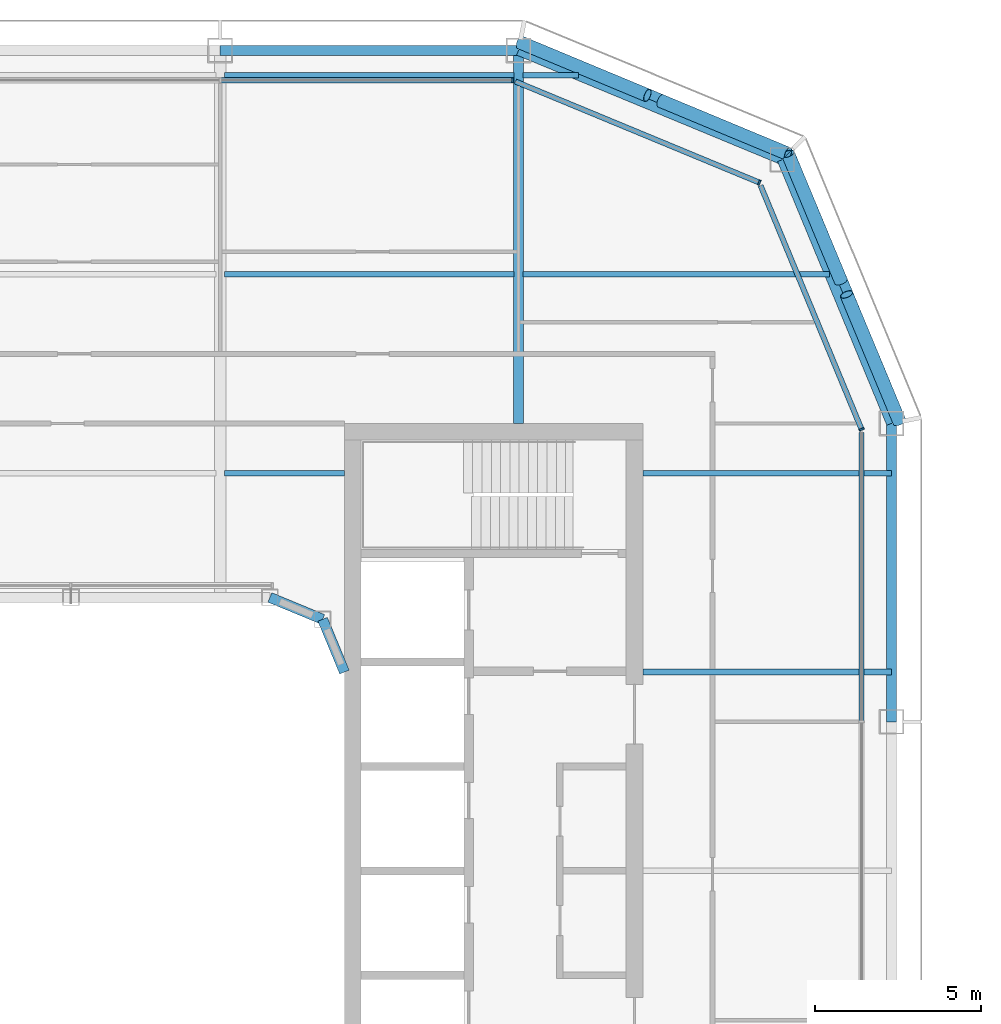
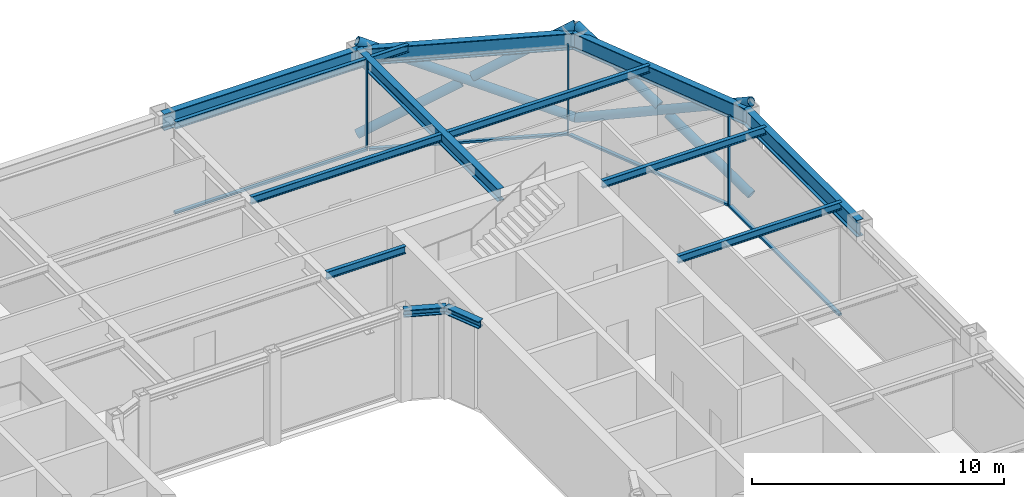
# One storey, part 8 of 21: 14 beams, 13 members, 4 elements without a shape of their own.
"""IFC4 building model written with IfcOpenShell, lengths in metres."""

from ifc_helpers import new_model, si_unit, direction, frame, origin, origin_2d, place, context, subcontext, project, spatial, rectangle, hollow_circle, i_section, extrude, material, layer, layer_set, material_profile, profile_set, type_object, element, aggregate, save


model = new_model("IFC4")

# Units and contexts
model_context = context("Model", 3, precision=1e-05, world=origin(), true_north=direction((0.0, 1.0)))
body_context = subcontext(model_context, "Body", "Model", "MODEL_VIEW")
ifc_project = project(units=[si_unit("LENGTHUNIT", "METRE"), si_unit("AREAUNIT", "SQUARE_METRE"), si_unit("VOLUMEUNIT", "CUBIC_METRE"), si_unit("PLANEANGLEUNIT", "RADIAN"), si_unit("MASSUNIT", "GRAM", prefix="KILO")], contexts=[model_context])

# Site, building, storey
site_placement = place(None, origin())
site = spatial("IfcSite", under=ifc_project, at=site_placement, CompositionType="ELEMENT")
building_placement = place(site_placement, origin())
building = spatial("IfcBuilding", under=site, at=building_placement, Name="Siwar Civic Tower", CompositionType="ELEMENT")
storey_placement = place(building_placement, frame((0.0, 0.0, 303.199951171875)))
storey = spatial("IfcBuildingStorey", under=building, at=storey_placement, Name="L65", CompositionType="ELEMENT", Elevation=303.199951171875)

# Curtain wall, member
ifc_material_1 = material(Name="Aluminium clad insulated panel", Category="aluminium")
ifc_layer_1 = layer(ifc_material_1, 0.159912109375)
ifc_layer_set_1 = layer_set([ifc_layer_1], Name="Aluminium clad insulated panel")
curtain_wall_type_1 = type_object("IfcCurtainWallType", Name="ENV-CW-DX", PredefinedType="NOTDEFINED", material=ifc_layer_set_1)
curtain_wall_1_placement = place(storey_placement, origin())
curtain_wall_1 = element("IfcCurtainWall", 1, at=curtain_wall_1_placement, inside=storey, type_object=curtain_wall_type_1, Name="Curtain wall D NE1", PredefinedType="NOTDEFINED")
ifc_material_2 = material(Name="Aluminium 6063-T6", Category="aluminium")
ifc_material_profile_1 = material_profile(ifc_material_2, rectangle(XDim=0.159912109375, YDim=0.06005859375, at=origin_2d()), Name="AL 160x60")
ifc_profile_set_1 = profile_set([ifc_material_profile_1], Name="Aluminium 6063-T6")
member_type_1 = type_object("IfcMemberType", Name="ENV-MULLION-D", PredefinedType="MULLION", material=ifc_profile_set_1)
member_1_placement = place(storey_placement, frame((23.85009765625, 13.321044921875, 0.0), z_axis=(0.0, 0.0, 1.0), x_axis=(-0.923879532511, -0.382683432365, 0.0)))
member_1 = element("IfcMember", 2, at=member_1_placement, type_object=member_type_1, Name="Mullion D NE1 1", PredefinedType="MULLION", context=body_context, shape_type="SweptSolid", body=[
    extrude(rectangle(XDim=0.159912109375, YDim=0.06005859375, at=origin_2d()), origin(), (0.0, 0.0, 1.0), 4.35009765625),
])

curtain_wall_2_placement = place(storey_placement, origin())
curtain_wall_2 = element("IfcCurtainWall", 3, at=curtain_wall_2_placement, inside=storey, type_object=curtain_wall_type_1, Name="Curtain wall D NE2", PredefinedType="NOTDEFINED")
member_2_placement = place(storey_placement, frame((20.76611328125, 20.76611328125, 0.0), z_axis=(0.0, 0.0, 1.0), x_axis=(-0.382683432365, -0.923879532511, 0.0)))
member_2 = element("IfcMember", 4, at=member_2_placement, type_object=member_type_1, Name="Mullion D NE2 1", PredefinedType="MULLION", context=body_context, shape_type="SweptSolid", body=[
    extrude(rectangle(XDim=0.159912109375, YDim=0.06005859375, at=origin_2d()), origin(), (0.0, 0.0, 1.0), 4.35009765625),
])

ifc_material_3 = material(Name="Aluminium and glass", Category="aluminium")
ifc_layer_2 = layer(ifc_material_3, 0.159912109375)
ifc_layer_set_2 = layer_set([ifc_layer_2], Name="Aluminium and glass")
curtain_wall_type_2 = type_object("IfcCurtainWallType", Name="ENV-CW-D", PredefinedType="NOTDEFINED", material=ifc_layer_set_2)
curtain_wall_3_placement = place(storey_placement, origin())
curtain_wall_3 = element("IfcCurtainWall", 5, at=curtain_wall_3_placement, inside=storey, type_object=curtain_wall_type_2, Name="Curtain wall D N", PredefinedType="NOTDEFINED")
member_3_placement = place(storey_placement, frame((13.321044921875, 23.85009765625, 0.0), z_axis=(0.0, 0.0, 1.0), x_axis=(0.0, -1.0, 0.0)))
member_3 = element("IfcMember", 6, at=member_3_placement, type_object=member_type_1, Name="Mullion D N 1", PredefinedType="MULLION", context=body_context, shape_type="SweptSolid", body=[
    extrude(rectangle(XDim=0.159912109375, YDim=0.06005859375, at=origin_2d()), origin(), (0.0, 0.0, 1.0), 4.35009765625),
])

curtain_wall_4_placement = place(storey_placement, origin())
curtain_wall_4 = element("IfcCurtainWall", 7, at=curtain_wall_4_placement, inside=storey, type_object=curtain_wall_type_2, Name="Curtain wall D E", PredefinedType="NOTDEFINED")
ifc_material_4 = material(Name="Aluminium 6063-T6", Category="aluminium")
ifc_material_profile_2 = material_profile(ifc_material_4, rectangle(XDim=0.159912109375, YDim=0.10009765625, at=origin_2d()), Name="AL 160x100")
ifc_profile_set_2 = profile_set([ifc_material_profile_2], Name="Aluminium 6063-T6")
member_type_2 = type_object("IfcMemberType", Name="ENV-TRANSOM-D", PredefinedType="USERDEFINED", material=ifc_profile_set_2)
member_4_placement = place(storey_placement, frame((23.85009765625, 4.530029296875, 0.050048828125), z_axis=(0.0, 1.0, 0.0), x_axis=(-1.0, 0.0, 0.0)))
member_4 = element("IfcMember", 8, at=member_4_placement, type_object=member_type_2, Name="Transom D E 3", ObjectType="TRANSOM", PredefinedType="USERDEFINED", context=body_context, shape_type="SweptSolid", body=[
    extrude(rectangle(XDim=0.159912109375, YDim=0.10009765625, at=origin_2d()), origin(), (0.0, 0.0, 1.0), 8.693115234375),
])
aggregate(curtain_wall_4, [member_4])

# Member
member_5_placement = place(storey_placement, frame((23.838623046875, 13.3486328125, 0.050048828125), z_axis=(-0.382699790424, 0.923872756612, 0.0), x_axis=(-0.923872756612, -0.382699790424, 0.0)))
member_5 = element("IfcMember", 9, at=member_5_placement, type_object=member_type_2, Name="Transom D NE1 1", ObjectType="TRANSOM", PredefinedType="USERDEFINED", context=body_context, shape_type="SweptSolid", body=[
    extrude(rectangle(XDim=0.159912109375, YDim=0.10009765625, at=origin_2d()), origin(), (0.0, 0.0, 1.0), 7.930908203125),
])

aggregate(curtain_wall_1, [member_1, member_5])

member_6_placement = place(storey_placement, frame((20.738525390625, 20.777587890625, 0.050048828125), z_axis=(-0.923883640343, 0.382673515031, 0.0), x_axis=(-0.382673515031, -0.923883640343, 0.0)))
member_6 = element("IfcMember", 10, at=member_6_placement, type_object=member_type_2, Name="Transom D NE2 1", ObjectType="TRANSOM", PredefinedType="USERDEFINED", context=body_context, shape_type="SweptSolid", body=[
    extrude(rectangle(XDim=0.159912109375, YDim=0.10009765625, at=origin_2d()), origin(), (0.0, 0.0, 1.0), 7.930908203125),
])

aggregate(curtain_wall_2, [member_2, member_6])

member_7_placement = place(storey_placement, frame((13.291015625, 23.85009765625, 0.050048828125), z_axis=(-1.0, 0.0, 0.0), x_axis=(0.0, -1.0, 0.0)))
member_7 = element("IfcMember", 11, at=member_7_placement, type_object=member_type_2, Name="Transom D N 1", ObjectType="TRANSOM", PredefinedType="USERDEFINED", context=body_context, shape_type="SweptSolid", body=[
    extrude(rectangle(XDim=0.159912109375, YDim=0.10009765625, at=origin_2d()), origin(), (0.0, 0.0, 1.0), 8.760986328125),
])

aggregate(curtain_wall_3, [member_3, member_7])

# Members
ifc_material_5 = material(Name="Steel S355", Category="steel")
ifc_material_profile_3 = material_profile(ifc_material_5, hollow_circle(Radius=0.203125, WallThickness=0.01611328125, at=origin_2d()), Name="CHS406.4x16")
ifc_profile_set_3 = profile_set([ifc_material_profile_3], Name="Steel S355")
member_type_3 = type_object("IfcMemberType", Name="STR-BR-CHS406.4x16", PredefinedType="BRACE", material=ifc_profile_set_3)
member_8_placement = place(storey_placement, frame((21.6318359375, 21.6318359375, 0.0), z_axis=(-0.821142553604, 0.341671493852, 0.457149315816), x_axis=(-0.384163874976, -0.923264922524, 0.0)))
element("IfcMember", 12, at=member_8_placement, inside=storey, type_object=member_type_3, Name="L65/brc/DNE1-4-0-1", PredefinedType="BRACE", context=body_context, shape_type="SweptSolid", body=[
    extrude(hollow_circle(Radius=0.203125, WallThickness=0.01611328125, at=origin_2d()), origin(), (0.0, 0.0, 1.0), 9.843505859375),
])
for number, where, z_axis, x_axis, name in (
    (13, (13.548828125, 24.9951171875, 0.0), (0.821130093572, -0.341659024948, 0.45718101459), (0.384156893273, 0.923267827529, 0.0), "L65/brc/DNE1-4-0-2"),
    (14, (17.791259765625, 23.229736328125, 2.362060546875), (0.821166691915, -0.341652533125, 0.457120127208), (0.38413607648, 0.923276488787, 0.0), "L65/brc/DNE1-4-0-3"),
):
    element("IfcMember", number, at=place(storey_placement, frame(where, z_axis=z_axis, x_axis=x_axis)), inside=storey, type_object=member_type_3, Name=name, PredefinedType="BRACE", context=body_context, shape_type="SweptSolid", body=[
        extrude(hollow_circle(Radius=0.203125, WallThickness=0.01611328125, at=origin_2d()), origin(), (0.0, 0.0, 1.0), 4.677001953125),
    ])
member_9_placement = place(storey_placement, frame((21.6318359375, 21.6318359375, 0.0), z_axis=(0.341671493852, -0.821142553604, 0.457149315816), x_axis=(0.923264922524, 0.384163874976, 0.0)))
element("IfcMember", 15, at=member_9_placement, inside=storey, type_object=member_type_3, Name="L65/brc/DNE1-4-0-0", PredefinedType="BRACE", context=body_context, shape_type="SweptSolid", body=[
    extrude(hollow_circle(Radius=0.203125, WallThickness=0.01611328125, at=origin_2d()), origin(), (0.0, 0.0, 1.0), 9.843505859375),
])
for number, where, z_axis, x_axis, name in (
    (16, (24.9951171875, 13.548828125, 0.0), (-0.341659024948, 0.821130093572, 0.45718101459), (-0.923267827529, -0.384156893273, 0.0), "L65/brc/DNE1-4-0-4"),
    (17, (23.229736328125, 17.791259765625, 2.362060546875), (-0.341652533125, 0.821166691915, 0.457120127208), (-0.923276488787, -0.38413607648, 0.0), "L65/brc/DNE1-4-0-5"),
):
    element("IfcMember", number, at=place(storey_placement, frame(where, z_axis=z_axis, x_axis=x_axis)), inside=storey, type_object=member_type_3, Name=name, PredefinedType="BRACE", context=body_context, shape_type="SweptSolid", body=[
        extrude(hollow_circle(Radius=0.203125, WallThickness=0.01611328125, at=origin_2d()), origin(), (0.0, 0.0, 1.0), 4.677001953125),
    ])

# Beams
ifc_material_6 = material(Name="Steel S355", Category="steel")
ifc_material_profile_4 = material_profile(ifc_material_6, i_section(OverallWidth=0.169921875, OverallDepth=0.360107421875, WebThickness=0.008056640625, FlangeThickness=0.0126953125, FilletRadius=0.01806640625, at=origin_2d()), Name="IPE360")
ifc_profile_set_4 = profile_set([ifc_material_profile_4], Name="Steel S355")
beam_type_1 = type_object("IfcBeamType", Name="STR-FB-IPE360", PredefinedType="JOIST", material=ifc_profile_set_4)
beam_1_placement = place(storey_placement, frame((17.25, 6.0, 4.170166015625), z_axis=(1.0, 0.0, 0.0), x_axis=(0.0, 1.0, 0.0)))
element("IfcBeam", 18, at=beam_1_placement, inside=storey, type_object=beam_type_1, Name="L65/bm/F021", PredefinedType="JOIST", context=body_context, shape_type="SweptSolid", body=[
    extrude(i_section(OverallWidth=0.169921875, OverallDepth=0.360107421875, WebThickness=0.008056640625, FlangeThickness=0.0126953125, FilletRadius=0.01806640625, at=origin_2d()), origin(), (0.0, 0.0, 1.0), 7.5),
])
beam_2_placement = place(storey_placement, frame((4.6298828125, 12.0, 4.170166015625), z_axis=(1.0, 0.0, 0.0), x_axis=(0.0, 1.0, 0.0)))
element("IfcBeam", 19, at=beam_2_placement, inside=storey, type_object=beam_type_1, Name="L65/bm/F025", PredefinedType="JOIST", context=body_context, shape_type="SweptSolid", body=[
    extrude(i_section(OverallWidth=0.169921875, OverallDepth=0.360107421875, WebThickness=0.008056640625, FlangeThickness=0.0126953125, FilletRadius=0.01806640625, at=origin_2d()), origin(), (0.0, 0.0, 1.0), 3.6201171875),
])
beam_3_placement = place(storey_placement, frame((17.25, 12.0, 4.170166015625), z_axis=(1.0, 0.0, 0.0), x_axis=(0.0, 1.0, 0.0)))
element("IfcBeam", 20, at=beam_3_placement, inside=storey, type_object=beam_type_1, Name="L65/bm/F026", PredefinedType="JOIST", context=body_context, shape_type="SweptSolid", body=[
    extrude(i_section(OverallWidth=0.169921875, OverallDepth=0.360107421875, WebThickness=0.008056640625, FlangeThickness=0.0126953125, FilletRadius=0.01806640625, at=origin_2d()), origin(), (0.0, 0.0, 1.0), 7.5),
])
beam_4_placement = place(storey_placement, frame((4.6298828125, 18.0, 4.170166015625), z_axis=(1.0, 0.0, 0.0), x_axis=(0.0, 1.0, 0.0)))
element("IfcBeam", 21, at=beam_4_placement, inside=storey, type_object=beam_type_1, Name="L65/bm/F030", PredefinedType="JOIST", context=body_context, shape_type="SweptSolid", body=[
    extrude(i_section(OverallWidth=0.169921875, OverallDepth=0.360107421875, WebThickness=0.008056640625, FlangeThickness=0.0126953125, FilletRadius=0.01806640625, at=origin_2d()), origin(), (0.0, 0.0, 1.0), 8.740234375),
])
beam_5_placement = place(storey_placement, frame((13.6298828125, 18.0, 4.170166015625), z_axis=(1.0, 0.0, 0.0), x_axis=(0.0, 1.0, 0.0)))
element("IfcBeam", 22, at=beam_5_placement, inside=storey, type_object=beam_type_1, Name="L65/bm/F031", PredefinedType="JOIST", context=body_context, shape_type="SweptSolid", body=[
    extrude(i_section(OverallWidth=0.169921875, OverallDepth=0.360107421875, WebThickness=0.008056640625, FlangeThickness=0.0126953125, FilletRadius=0.01806640625, at=origin_2d()), origin(), (0.0, 0.0, 1.0), 9.256103515625),
])
beam_6_placement = place(storey_placement, frame((4.6298828125, 24.0, 4.170166015625), z_axis=(1.0, 0.0, 0.0), x_axis=(0.0, 1.0, 0.0)))
element("IfcBeam", 23, at=beam_6_placement, inside=storey, type_object=beam_type_1, Name="L65/bm/F035", PredefinedType="JOIST", context=body_context, shape_type="SweptSolid", body=[
    extrude(i_section(OverallWidth=0.169921875, OverallDepth=0.360107421875, WebThickness=0.008056640625, FlangeThickness=0.0126953125, FilletRadius=0.01806640625, at=origin_2d()), origin(), (0.0, 0.0, 1.0), 8.740234375),
])
beam_7_placement = place(storey_placement, frame((13.6298828125, 24.0, 4.170166015625), z_axis=(1.0, 0.0, 0.0), x_axis=(0.0, 1.0, 0.0)))
element("IfcBeam", 24, at=beam_7_placement, inside=storey, type_object=beam_type_1, Name="L65/bm/F036", PredefinedType="JOIST", context=body_context, shape_type="SweptSolid", body=[
    extrude(i_section(OverallWidth=0.169921875, OverallDepth=0.360107421875, WebThickness=0.008056640625, FlangeThickness=0.0126953125, FilletRadius=0.01806640625, at=origin_2d()), origin(), (0.0, 0.0, 1.0), 1.6806640625),
])
ifc_material_7 = material(Name="Steel S355", Category="steel")
ifc_material_profile_5 = material_profile(ifc_material_7, i_section(OverallWidth=0.300048828125, OverallDepth=0.60009765625, WebThickness=0.015380859375, FlangeThickness=0.030029296875, FilletRadius=0.027099609375, at=origin_2d()), Name="HEB600")
ifc_profile_set_5 = profile_set([ifc_material_profile_5], Name="Steel S355")
beam_type_2 = type_object("IfcBeamType", Name="STR-PG-HEB600", PredefinedType="BEAM", material=ifc_profile_set_5)
beam_8_placement = place(storey_placement, frame((13.5, 13.5, 4.050048828125), z_axis=(0.0, 1.0, 0.0), x_axis=(-1.0, 0.0, 0.0)))
element("IfcBeam", 25, at=beam_8_placement, inside=storey, type_object=beam_type_2, Name="L65/bm/G08", PredefinedType="BEAM", context=body_context, shape_type="SweptSolid", body=[
    extrude(i_section(OverallWidth=0.300048828125, OverallDepth=0.60009765625, WebThickness=0.015380859375, FlangeThickness=0.030029296875, FilletRadius=0.027099609375, at=origin_2d()), origin(), (0.0, 0.0, 1.0), 11.25),
])
ifc_material_8 = material(Name="Steel S355", Category="steel")
ifc_material_profile_6 = material_profile(ifc_material_8, i_section(OverallWidth=0.31005859375, OverallDepth=0.340087890625, WebThickness=0.02099609375, FlangeThickness=0.0390625, FilletRadius=0.027099609375, at=origin_2d()), Name="HEM300")
ifc_profile_set_6 = profile_set([ifc_material_profile_6], Name="Steel S355")
beam_type_3 = type_object("IfcBeamType", Name="STR-RB-HEM300", PredefinedType="BEAM", material=ifc_profile_set_6)
for number, where, z_axis, x_axis, name in (
    (26, (6.0, 8.25, 4.179931640625), (0.923901072997, -0.382631424892, 0.0), (0.382631424892, 0.923901072997, 0.0), "L65/bm/RN3"),
    (27, (7.591064453125, 7.591064453125, 4.179931640625), (0.382631424892, -0.923901072997, 0.0), (0.923901072997, 0.382631424892, 0.0), "L65/bm/RNEE"),
):
    element("IfcBeam", number, at=place(storey_placement, frame(where, z_axis=z_axis, x_axis=x_axis)), inside=storey, type_object=beam_type_3, Name=name, PredefinedType="BEAM", context=body_context, shape_type="SweptSolid", body=[
        extrude(i_section(OverallWidth=0.31005859375, OverallDepth=0.340087890625, WebThickness=0.02099609375, FlangeThickness=0.0390625, FilletRadius=0.027099609375, at=origin_2d()), origin(), (0.0, 0.0, 1.0), 1.72216796875),
    ])
ifc_material_9 = material(Name="Steel S355", Category="steel")
ifc_material_profile_7 = material_profile(ifc_material_9, i_section(OverallWidth=0.300048828125, OverallDepth=0.800048828125, WebThickness=0.017578125, FlangeThickness=0.032958984375, FilletRadius=0.030029296875, at=origin_2d()), Name="HEB800")
ifc_profile_set_7 = profile_set([ifc_material_profile_7], Name="Steel S355")
beam_type_4 = type_object("IfcBeamType", Name="STR-SB-HEB800", PredefinedType="BEAM", material=ifc_profile_set_7)
beam_9_placement = place(storey_placement, frame((24.75, 4.5, 3.949951171875), z_axis=(0.0, 1.0, 0.0), x_axis=(-1.0, 0.0, 0.0)))
element("IfcBeam", 28, at=beam_9_placement, inside=storey, type_object=beam_type_4, Name="L65/bm/SE-2", PredefinedType="BEAM", context=body_context, shape_type="SweptSolid", body=[
    extrude(i_section(OverallWidth=0.300048828125, OverallDepth=0.800048828125, WebThickness=0.017578125, FlangeThickness=0.032958984375, FilletRadius=0.030029296875, at=origin_2d()), origin(), (0.0, 0.0, 1.0), 9.0),
])
for number, where, z_axis, x_axis, name in (
    (29, (24.75, 13.5, 3.949951171875), (-0.382699877515, 0.923872720536, 0.0), (-0.923872720536, -0.382699877515, 0.0), "L65/bm/SNE1-0"),
    (30, (21.454833984375, 21.454833984375, 3.949951171875), (-0.923872720536, 0.382699877515, 0.0), (-0.382699877515, -0.923872720536, 0.0), "L65/bm/SNE2-0"),
):
    element("IfcBeam", number, at=place(storey_placement, frame(where, z_axis=z_axis, x_axis=x_axis)), inside=storey, type_object=beam_type_4, Name=name, PredefinedType="BEAM", context=body_context, shape_type="SweptSolid", body=[
        extrude(i_section(OverallWidth=0.300048828125, OverallDepth=0.800048828125, WebThickness=0.017578125, FlangeThickness=0.032958984375, FilletRadius=0.030029296875, at=origin_2d()), origin(), (0.0, 0.0, 1.0), 8.6103515625),
    ])
beam_10_placement = place(storey_placement, frame((13.5, 24.75, 3.949951171875), z_axis=(-1.0, 0.0, 0.0), x_axis=(0.0, -1.0, 0.0)))
element("IfcBeam", 31, at=beam_10_placement, inside=storey, type_object=beam_type_4, Name="L65/bm/SN-0", PredefinedType="BEAM", context=body_context, shape_type="SweptSolid", body=[
    extrude(i_section(OverallWidth=0.300048828125, OverallDepth=0.800048828125, WebThickness=0.017578125, FlangeThickness=0.032958984375, FilletRadius=0.030029296875, at=origin_2d()), origin(), (0.0, 0.0, 1.0), 9.0),
])

save(model, "model.ifc")
